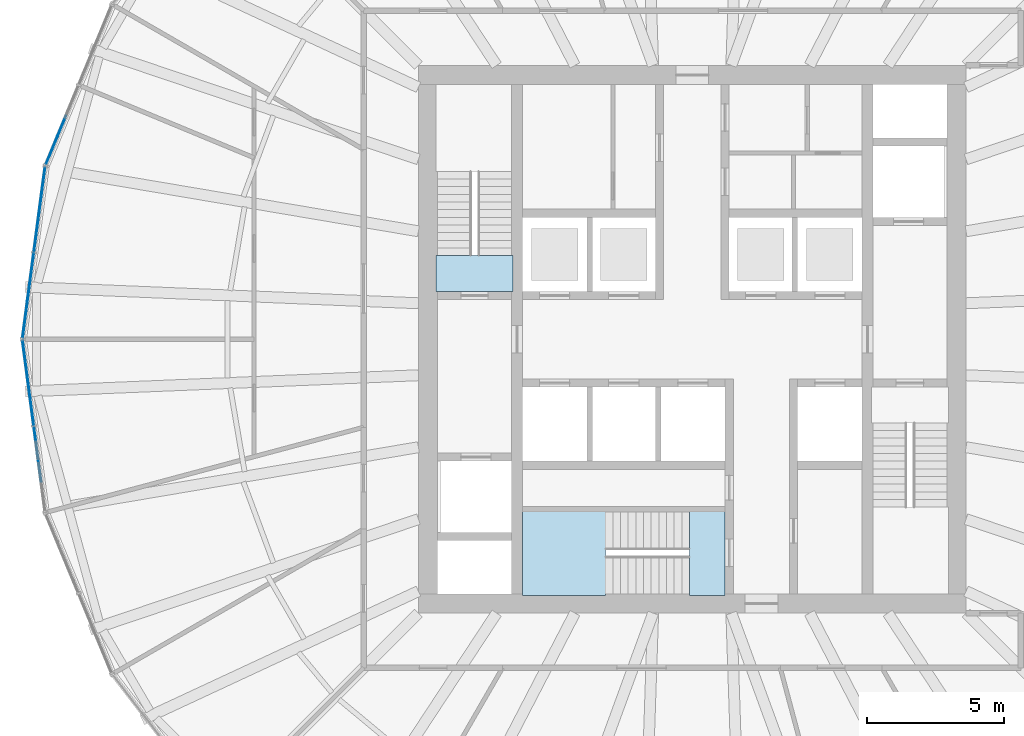
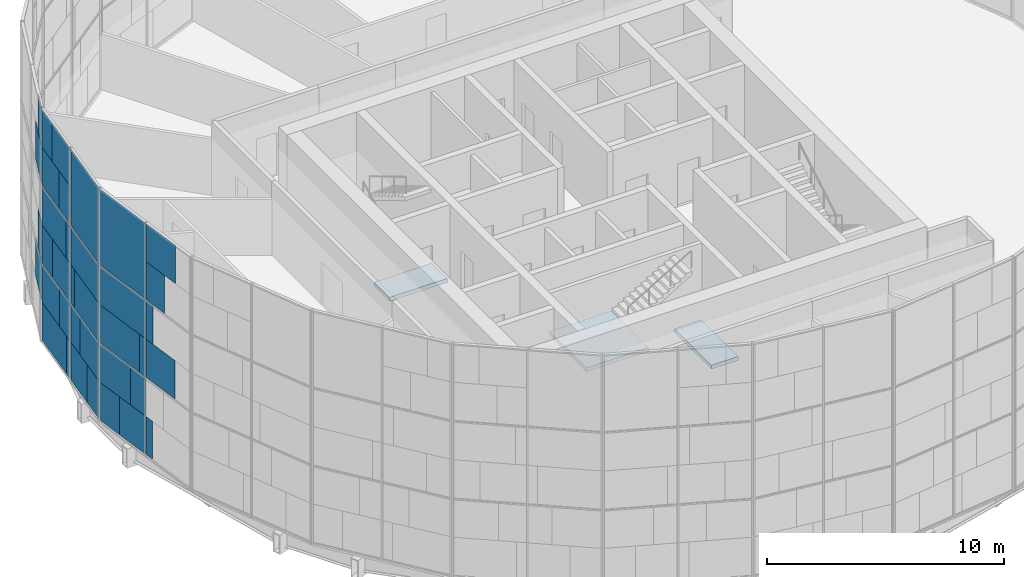
# One storey, part 11 of 22: 37 plates, 3 slabs, 4 elements without a shape of their own.
"""IFC4 building model written with IfcOpenShell, lengths in metres."""

from ifc_helpers import new_model, si_unit, direction, frame, origin, origin_2d, place, context, subcontext, project, spatial, polyline, rectangle, outline, extrude, material, layer, layer_set, type_object, element, aggregate, save


model = new_model("IFC4")

# Units and contexts
model_context = context("Model", 3, precision=1e-05, world=origin(), true_north=direction((0.0, 1.0)))
body_context = subcontext(model_context, "Body", "Model", "MODEL_VIEW")
ifc_project = project(units=[si_unit("LENGTHUNIT", "METRE"), si_unit("AREAUNIT", "SQUARE_METRE"), si_unit("VOLUMEUNIT", "CUBIC_METRE"), si_unit("PLANEANGLEUNIT", "RADIAN"), si_unit("MASSUNIT", "GRAM", prefix="KILO")], contexts=[model_context])

# Site, building, storey
site_placement = place(None, origin())
site = spatial("IfcSite", under=ifc_project, at=site_placement, CompositionType="ELEMENT")
building_placement = place(site_placement, origin())
building = spatial("IfcBuilding", under=site, at=building_placement, Name="Golbaran Civic Tower", CompositionType="ELEMENT")
storey_placement = place(building_placement, frame((0.0, 0.0, 90.0)))
storey = spatial("IfcBuildingStorey", under=building, at=storey_placement, Name="L21", CompositionType="ELEMENT", Elevation=90.0)

# Curtain wall, plates
ifc_material_1 = material(Name="Aluminium and glass", Category="aluminium")
curtain_wall_type = type_object("IfcCurtainWallType", Name="INNER SKIN CURTAIN WALL", PredefinedType="NOTDEFINED", material=ifc_material_1)
curtain_wall_1_placement = place(storey_placement, origin())
curtain_wall_1 = element("IfcCurtainWall", 1, at=curtain_wall_1_placement, inside=storey, type_object=curtain_wall_type, Name="Inner skin L21 facet 11 CW1", ObjectType="INNER SKIN", PredefinedType="USERDEFINED")
ifc_material_2 = material(Name="Clear insulating glass", Category="glass")
ifc_layer_1 = layer(ifc_material_2, 0.031982421875, Name="Clear insulating glass")
ifc_layer_set_1 = layer_set([ifc_layer_1], Name="Clear insulating glass")
plate_type_1 = type_object("IfcPlateType", Name="INNER SKIN CURTAIN WALL GLAZED PANEL", PredefinedType="CURTAIN_PANEL", material=ifc_layer_set_1)
plate_1_placement = place(storey_placement, frame((-23.238037109375, 7.271240234375, 2.016357421875), z_axis=(0.0, 0.0, 1.0), x_axis=(-0.382683432365, -0.923879532511, 0.0)))
plate_1 = element("IfcPlate", 2, at=plate_1_placement, type_object=plate_type_1, Name="CW1 panel 2.1 part 4", PredefinedType="CURTAIN_PANEL", context=body_context, shape_type="SweptSolid", body=[
    extrude(rectangle(XDim=1.9052734375, YDim=0.031982421875, at=origin_2d()), origin(), (0.0, 0.0, 1.0), 1.951171875),
])
plate_2_placement = place(storey_placement, frame((-23.38916015625, 6.90625, 4.03271484375), z_axis=(0.0, 0.0, 1.0), x_axis=(-0.382683432365, -0.923879532511, 0.0)))
plate_2 = element("IfcPlate", 3, at=plate_2_placement, type_object=plate_type_1, Name="CW1 panel 2.2 part 2", PredefinedType="CURTAIN_PANEL", context=body_context, shape_type="SweptSolid", body=[
    extrude(rectangle(XDim=1.115234375, YDim=0.031982421875, at=origin_2d()), origin(), (0.0, 0.0, 1.0), 1.967529296875),
])

curtain_wall_2_placement = place(storey_placement, origin())
curtain_wall_2 = element("IfcCurtainWall", 4, at=curtain_wall_2_placement, inside=storey, type_object=curtain_wall_type, Name="Inner skin L21 facet 12 CW1", ObjectType="INNER SKIN", PredefinedType="USERDEFINED")
plate_3_placement = place(storey_placement, frame((-23.809814453125, 4.946533203125, 0.06494140625), z_axis=(0.0, 0.0, 1.0), x_axis=(-0.130526192203, -0.991444861376, 0.0)))
plate_3 = element("IfcPlate", 5, at=plate_3_placement, type_object=plate_type_1, Name="CW1 panel 1.1 part 1", PredefinedType="CURTAIN_PANEL", context=body_context, shape_type="SweptSolid", body=[
    extrude(rectangle(XDim=2.6630859375, YDim=0.031982421875, at=origin_2d()), origin(), (0.0, 0.0, 1.0), 1.951171875),
])
plate_4_placement = place(storey_placement, frame((-23.76025390625, 5.322265625, 2.016357421875), z_axis=(0.0, 0.0, 1.0), x_axis=(-0.130526192203, -0.991444861376, 0.0)))
plate_4 = element("IfcPlate", 6, at=plate_4_placement, type_object=plate_type_1, Name="CW1 panel 1.1 part 3", PredefinedType="CURTAIN_PANEL", context=body_context, shape_type="SweptSolid", body=[
    extrude(rectangle(XDim=1.905029296875, YDim=0.031982421875, at=origin_2d()), origin(), (0.0, 0.0, 1.0), 1.951171875),
])
plate_5_placement = place(storey_placement, frame((-23.708740234375, 5.71337890625, 4.03271484375), z_axis=(0.0, 0.0, 1.0), x_axis=(-0.130526192203, -0.991444861376, 0.0)))
plate_5 = element("IfcPlate", 7, at=plate_5_placement, type_object=plate_type_1, Name="CW1 panel 1.2 part 1", PredefinedType="CURTAIN_PANEL", context=body_context, shape_type="SweptSolid", body=[
    extrude(rectangle(XDim=1.115966796875, YDim=0.031982421875, at=origin_2d()), origin(), (0.0, 0.0, 1.0), 1.967529296875),
])
plate_6_placement = place(storey_placement, frame((-24.00927734375, 3.431396484375, 6.0), z_axis=(0.0, 0.0, 1.0), x_axis=(-0.130526192203, -0.991444861376, 0.0)))
plate_6 = element("IfcPlate", 8, at=plate_6_placement, type_object=plate_type_1, Name="CW1 panel 1.2 part 4", PredefinedType="CURTAIN_PANEL", context=body_context, shape_type="SweptSolid", body=[
    extrude(rectangle(XDim=0.47119140625, YDim=0.031982421875, at=origin_2d()), origin(), (0.0, 0.0, 1.0), 1.967529296875),
])
plate_7_placement = place(storey_placement, frame((-23.957763671875, 3.822998046875, 8.032470703125), z_axis=(0.0, 0.0, 1.0), x_axis=(-0.130526192203, -0.991444861376, 0.0)))
plate_7 = element("IfcPlate", 9, at=plate_7_placement, type_object=plate_type_1, Name="CW1 panel 1.3 part 2", PredefinedType="CURTAIN_PANEL", context=body_context, shape_type="SweptSolid", body=[
    extrude(rectangle(XDim=1.26123046875, YDim=0.031982421875, at=origin_2d()), origin(), (0.0, 0.0, 1.0), 1.951171875),
])
plate_8_placement = place(storey_placement, frame((-23.908203125, 4.19873046875, 9.98388671875), z_axis=(0.0, 0.0, 1.0), x_axis=(-0.130526192203, -0.991444861376, 0.0)))
plate_8 = element("IfcPlate", 10, at=plate_8_placement, type_object=plate_type_1, Name="CW1 panel 1.3 part 4", PredefinedType="CURTAIN_PANEL", context=body_context, shape_type="SweptSolid", body=[
    extrude(rectangle(XDim=2.019287109375, YDim=0.031982421875, at=origin_2d()), origin(), (0.0, 0.0, 1.0), 1.951171875),
])
plate_9_placement = place(storey_placement, frame((-24.365966796875, 0.721923828125, 0.06494140625), z_axis=(0.0, 0.0, 1.0), x_axis=(-0.130526192203, -0.991444861376, 0.0)))
plate_9 = element("IfcPlate", 11, at=plate_9_placement, type_object=plate_type_1, Name="CW1 panel 2.1 part 2", PredefinedType="CURTAIN_PANEL", context=body_context, shape_type="SweptSolid", body=[
    extrude(rectangle(XDim=1.326416015625, YDim=0.031982421875, at=origin_2d()), origin(), (0.0, 0.0, 1.0), 1.951171875),
])
plate_10_placement = place(storey_placement, frame((-24.31640625, 1.09765625, 2.016357421875), z_axis=(0.0, 0.0, 1.0), x_axis=(-0.130526192203, -0.991444861376, 0.0)))
plate_10 = element("IfcPlate", 12, at=plate_10_placement, type_object=plate_type_1, Name="CW1 panel 2.1 part 4", PredefinedType="CURTAIN_PANEL", context=body_context, shape_type="SweptSolid", body=[
    extrude(rectangle(XDim=2.084228515625, YDim=0.031982421875, at=origin_2d()), origin(), (0.0, 0.0, 1.0), 1.951171875),
])
plate_11_placement = place(storey_placement, frame((-24.276611328125, 1.400634765625, 4.03271484375), z_axis=(0.0, 0.0, 1.0), x_axis=(-0.130526192203, -0.991444861376, 0.0)))
plate_11 = element("IfcPlate", 13, at=plate_11_placement, type_object=plate_type_1, Name="CW1 panel 2.2 part 2", PredefinedType="CURTAIN_PANEL", context=body_context, shape_type="SweptSolid", body=[
    extrude(rectangle(XDim=2.6953125, YDim=0.031982421875, at=origin_2d()), origin(), (0.0, 0.0, 1.0), 1.967529296875),
])
plate_12_placement = place(storey_placement, frame((-24.25048828125, 1.598876953125, 6.0), z_axis=(0.0, 0.0, 1.0), x_axis=(-0.130526192203, -0.991444861376, 0.0)))
plate_12 = element("IfcPlate", 14, at=plate_12_placement, type_object=plate_type_1, Name="CW1 panel 2.2 part 3", PredefinedType="CURTAIN_PANEL", context=body_context, shape_type="SweptSolid", body=[
    extrude(rectangle(XDim=3.09521484375, YDim=0.031982421875, at=origin_2d()), origin(), (0.0, 0.0, 1.0), 1.967529296875),
])
plate_13_placement = place(storey_placement, frame((-24.25048828125, 1.598876953125, 8.0322265625), z_axis=(0.0, 0.0, 1.0), x_axis=(-0.130526192203, -0.991444861376, 0.0)))
plate_13 = element("IfcPlate", 15, at=plate_13_placement, type_object=plate_type_1, Name="CW1 panel 2.3", PredefinedType="CURTAIN_PANEL", context=body_context, shape_type="SweptSolid", body=[
    extrude(rectangle(XDim=3.09521484375, YDim=0.031982421875, at=origin_2d()), origin(), (0.0, 0.0, 1.0), 3.902587890625),
])

curtain_wall_3_placement = place(storey_placement, origin())
curtain_wall_3 = element("IfcCurtainWall", 16, at=curtain_wall_3_placement, inside=storey, type_object=curtain_wall_type, Name="Inner skin L21 facet 13 CW1", ObjectType="INNER SKIN", PredefinedType="USERDEFINED")
plate_14_placement = place(storey_placement, frame((-24.365966796875, -0.7216796875, 0.06494140625), z_axis=(0.0, 0.0, 1.0), x_axis=(0.130526192203, -0.991444861376, 0.0)))
plate_14 = element("IfcPlate", 17, at=plate_14_placement, type_object=plate_type_1, Name="CW1 panel 1.1 part 1", PredefinedType="CURTAIN_PANEL", context=body_context, shape_type="SweptSolid", body=[
    extrude(rectangle(XDim=1.325927734375, YDim=0.031982421875, at=origin_2d()), origin(), (0.0, 0.0, 1.0), 1.951171875),
])
plate_15_placement = place(storey_placement, frame((-24.31640625, -1.097412109375, 2.016357421875), z_axis=(0.0, 0.0, 1.0), x_axis=(0.130526192203, -0.991444861376, 0.0)))
plate_15 = element("IfcPlate", 18, at=plate_15_placement, type_object=plate_type_1, Name="CW1 panel 1.1 part 3", PredefinedType="CURTAIN_PANEL", context=body_context, shape_type="SweptSolid", body=[
    extrude(rectangle(XDim=2.083984375, YDim=0.031982421875, at=origin_2d()), origin(), (0.0, 0.0, 1.0), 1.951171875),
])
plate_16_placement = place(storey_placement, frame((-24.276611328125, -1.39990234375, 4.03271484375), z_axis=(0.0, 0.0, 1.0), x_axis=(0.130526192203, -0.991444861376, 0.0)))
plate_16 = element("IfcPlate", 19, at=plate_16_placement, type_object=plate_type_1, Name="CW1 panel 1.2 part 1", PredefinedType="CURTAIN_PANEL", context=body_context, shape_type="SweptSolid", body=[
    extrude(rectangle(XDim=2.694091796875, YDim=0.031982421875, at=origin_2d()), origin(), (0.0, 0.0, 1.0), 1.967529296875),
])
plate_17_placement = place(storey_placement, frame((-24.25048828125, -1.598876953125, 6.0), z_axis=(0.0, 0.0, 1.0), x_axis=(0.130526192203, -0.991444861376, 0.0)))
plate_17 = element("IfcPlate", 20, at=plate_17_placement, type_object=plate_type_1, Name="CW1 panel 1.2 part 3", PredefinedType="CURTAIN_PANEL", context=body_context, shape_type="SweptSolid", body=[
    extrude(rectangle(XDim=3.09521484375, YDim=0.031982421875, at=origin_2d()), origin(), (0.0, 0.0, 1.0), 1.967529296875),
])
plate_18_placement = place(storey_placement, frame((-24.25048828125, -1.598876953125, 8.0322265625), z_axis=(0.0, 0.0, 1.0), x_axis=(0.130526192203, -0.991444861376, 0.0)))
plate_18 = element("IfcPlate", 21, at=plate_18_placement, type_object=plate_type_1, Name="CW1 panel 1.3", PredefinedType="CURTAIN_PANEL", context=body_context, shape_type="SweptSolid", body=[
    extrude(rectangle(XDim=3.09521484375, YDim=0.031982421875, at=origin_2d()), origin(), (0.0, 0.0, 1.0), 3.902587890625),
])
plate_19_placement = place(storey_placement, frame((-24.00927734375, -3.43115234375, 6.0), z_axis=(0.0, 0.0, 1.0), x_axis=(0.130526192203, -0.991444861376, 0.0)))
plate_19 = element("IfcPlate", 22, at=plate_19_placement, type_object=plate_type_1, Name="CW1 panel 2.2 part 3", PredefinedType="CURTAIN_PANEL", context=body_context, shape_type="SweptSolid", body=[
    extrude(rectangle(XDim=0.470947265625, YDim=0.031982421875, at=origin_2d()), origin(), (0.0, 0.0, 1.0), 1.967529296875),
])
plate_20_placement = place(storey_placement, frame((-23.957763671875, -3.82275390625, 8.032470703125), z_axis=(0.0, 0.0, 1.0), x_axis=(0.130526192203, -0.991444861376, 0.0)))
plate_20 = element("IfcPlate", 23, at=plate_20_placement, type_object=plate_type_1, Name="CW1 panel 2.3 part 1", PredefinedType="CURTAIN_PANEL", context=body_context, shape_type="SweptSolid", body=[
    extrude(rectangle(XDim=1.260986328125, YDim=0.031982421875, at=origin_2d()), origin(), (0.0, 0.0, 1.0), 1.951171875),
])
plate_21_placement = place(storey_placement, frame((-23.908203125, -4.198974609375, 9.98388671875), z_axis=(0.0, 0.0, 1.0), x_axis=(0.130526192203, -0.991444861376, 0.0)))
plate_21 = element("IfcPlate", 24, at=plate_21_placement, type_object=plate_type_1, Name="CW1 panel 2.3 part 3", PredefinedType="CURTAIN_PANEL", context=body_context, shape_type="SweptSolid", body=[
    extrude(rectangle(XDim=2.02001953125, YDim=0.031982421875, at=origin_2d()), origin(), (0.0, 0.0, 1.0), 1.951171875),
])

# Plate
ifc_material_3 = material(Name="Aluminium faced opaque infill panel", Category="aluminium")
ifc_layer_2 = layer(ifc_material_3, 0.031982421875, Name="Aluminium faced opaque infill panel")
ifc_layer_set_2 = layer_set([ifc_layer_2], Name="Aluminium faced opaque infill panel")
plate_type_2 = type_object("IfcPlateType", Name="INNER SKIN CURTAIN WALL OPAQUE INFILL PANEL", PredefinedType="CURTAIN_PANEL", material=ifc_layer_set_2)
plate_22_placement = place(storey_placement, frame((-23.251708984375, 7.23828125, 8.032470703125), z_axis=(0.0, 0.0, 1.0), x_axis=(-0.382683432365, -0.923879532511, 0.0)))
plate_22 = element("IfcPlate", 25, at=plate_22_placement, type_object=plate_type_2, Name="CW1 infill panel 2.3 part 2", PredefinedType="CURTAIN_PANEL", context=body_context, shape_type="SweptSolid", body=[
    extrude(rectangle(XDim=1.834228515625, YDim=0.031982421875, at=origin_2d()), origin(), (0.0, 0.0, 1.0), 1.951171875),
])

plate_23_placement = place(storey_placement, frame((-23.39697265625, 6.8876953125, 9.98388671875), z_axis=(0.0, 0.0, 1.0), x_axis=(-0.382683432365, -0.923879532511, 0.0)))
plate_23 = element("IfcPlate", 26, at=plate_23_placement, type_object=plate_type_2, Name="CW1 infill panel 2.3 part 4", PredefinedType="CURTAIN_PANEL", context=body_context, shape_type="SweptSolid", body=[
    extrude(rectangle(XDim=1.0751953125, YDim=0.031982421875, at=origin_2d()), origin(), (0.0, 0.0, 1.0), 1.951171875),
])

aggregate(curtain_wall_1, [plate_1, plate_2, plate_22, plate_23])

plate_24_placement = place(storey_placement, frame((-24.01171875, 3.412109375, 0.06494140625), z_axis=(0.0, 0.0, 1.0), x_axis=(-0.130526192203, -0.991444861376, 0.0)))
plate_24 = element("IfcPlate", 27, at=plate_24_placement, type_object=plate_type_2, Name="CW1 infill panel 1.1 part 2", PredefinedType="CURTAIN_PANEL", context=body_context, shape_type="SweptSolid", body=[
    extrude(rectangle(XDim=0.432373046875, YDim=0.031982421875, at=origin_2d()), origin(), (0.0, 0.0, 1.0), 1.951171875),
])

plate_25_placement = place(storey_placement, frame((-23.96240234375, 3.787841796875, 2.016357421875), z_axis=(0.0, 0.0, 1.0), x_axis=(-0.130526192203, -0.991444861376, 0.0)))
plate_25 = element("IfcPlate", 28, at=plate_25_placement, type_object=plate_type_2, Name="CW1 infill panel 1.1 part 4", PredefinedType="CURTAIN_PANEL", context=body_context, shape_type="SweptSolid", body=[
    extrude(rectangle(XDim=1.190185546875, YDim=0.031982421875, at=origin_2d()), origin(), (0.0, 0.0, 1.0), 1.951171875),
])

plate_26_placement = place(storey_placement, frame((-23.910888671875, 4.178955078125, 4.03271484375), z_axis=(0.0, 0.0, 1.0), x_axis=(-0.130526192203, -0.991444861376, 0.0)))
plate_26 = element("IfcPlate", 29, at=plate_26_placement, type_object=plate_type_2, Name="CW1 infill panel 1.2 part 2", PredefinedType="CURTAIN_PANEL", context=body_context, shape_type="SweptSolid", body=[
    extrude(rectangle(XDim=1.979248046875, YDim=0.031982421875, at=origin_2d()), origin(), (0.0, 0.0, 1.0), 1.967529296875),
])

plate_27_placement = place(storey_placement, frame((-23.80712890625, 4.9658203125, 6.0), z_axis=(0.0, 0.0, 1.0), x_axis=(-0.130526192203, -0.991444861376, 0.0)))
plate_27 = element("IfcPlate", 30, at=plate_27_placement, type_object=plate_type_2, Name="CW1 infill panel 1.2 part 3", PredefinedType="CURTAIN_PANEL", context=body_context, shape_type="SweptSolid", body=[
    extrude(rectangle(XDim=2.6240234375, YDim=0.031982421875, at=origin_2d()), origin(), (0.0, 0.0, 1.0), 1.967529296875),
])

plate_28_placement = place(storey_placement, frame((-23.755615234375, 5.357421875, 8.032470703125), z_axis=(0.0, 0.0, 1.0), x_axis=(-0.130526192203, -0.991444861376, 0.0)))
plate_28 = element("IfcPlate", 31, at=plate_28_placement, type_object=plate_type_2, Name="CW1 infill panel 1.3 part 1", PredefinedType="CURTAIN_PANEL", context=body_context, shape_type="SweptSolid", body=[
    extrude(rectangle(XDim=1.833984375, YDim=0.031982421875, at=origin_2d()), origin(), (0.0, 0.0, 1.0), 1.951171875),
])

plate_29_placement = place(storey_placement, frame((-23.706298828125, 5.733154296875, 9.98388671875), z_axis=(0.0, 0.0, 1.0), x_axis=(-0.130526192203, -0.991444861376, 0.0)))
plate_29 = element("IfcPlate", 32, at=plate_29_placement, type_object=plate_type_2, Name="CW1 infill panel 1.3 part 3", PredefinedType="CURTAIN_PANEL", context=body_context, shape_type="SweptSolid", body=[
    extrude(rectangle(XDim=1.075927734375, YDim=0.031982421875, at=origin_2d()), origin(), (0.0, 0.0, 1.0), 1.951171875),
])

plate_30_placement = place(storey_placement, frame((-24.1640625, 2.25634765625, 0.06494140625), z_axis=(0.0, 0.0, 1.0), x_axis=(-0.130526192203, -0.991444861376, 0.0)))
plate_30 = element("IfcPlate", 33, at=plate_30_placement, type_object=plate_type_2, Name="CW1 infill panel 2.1 part 1", PredefinedType="CURTAIN_PANEL", context=body_context, shape_type="SweptSolid", body=[
    extrude(rectangle(XDim=1.76904296875, YDim=0.031982421875, at=origin_2d()), origin(), (0.0, 0.0, 1.0), 1.951171875),
])

plate_31_placement = place(storey_placement, frame((-24.114501953125, 2.632080078125, 2.016357421875), z_axis=(0.0, 0.0, 1.0), x_axis=(-0.130526192203, -0.991444861376, 0.0)))
plate_31 = element("IfcPlate", 34, at=plate_31_placement, type_object=plate_type_2, Name="CW1 infill panel 2.1 part 3", PredefinedType="CURTAIN_PANEL", context=body_context, shape_type="SweptSolid", body=[
    extrude(rectangle(XDim=1.010986328125, YDim=0.031982421875, at=origin_2d()), origin(), (0.0, 0.0, 1.0), 1.951171875),
])

plate_32_placement = place(storey_placement, frame((-24.07470703125, 2.93505859375, 4.03271484375), z_axis=(0.0, 0.0, 1.0), x_axis=(-0.130526192203, -0.991444861376, 0.0)))
plate_32 = element("IfcPlate", 35, at=plate_32_placement, type_object=plate_type_2, Name="CW1 infill panel 2.2 part 1", PredefinedType="CURTAIN_PANEL", context=body_context, shape_type="SweptSolid", body=[
    extrude(rectangle(XDim=0.39990234375, YDim=0.031982421875, at=origin_2d()), origin(), (0.0, 0.0, 1.0), 1.967529296875),
])

aggregate(curtain_wall_2, [plate_3, plate_24, plate_4, plate_25, plate_5, plate_26, plate_27, plate_6, plate_28, plate_7, plate_29, plate_8, plate_30, plate_9, plate_31, plate_10, plate_32, plate_11, plate_12, plate_13])

plate_33_placement = place(storey_placement, frame((-24.1640625, -2.256103515625, 0.06494140625), z_axis=(0.0, 0.0, 1.0), x_axis=(0.130526192203, -0.991444861376, 0.0)))
plate_33 = element("IfcPlate", 36, at=plate_33_placement, type_object=plate_type_2, Name="CW1 infill panel 1.1 part 2", PredefinedType="CURTAIN_PANEL", context=body_context, shape_type="SweptSolid", body=[
    extrude(rectangle(XDim=1.769287109375, YDim=0.031982421875, at=origin_2d()), origin(), (0.0, 0.0, 1.0), 1.951171875),
])

plate_34_placement = place(storey_placement, frame((-24.114501953125, -2.6318359375, 2.016357421875), z_axis=(0.0, 0.0, 1.0), x_axis=(0.130526192203, -0.991444861376, 0.0)))
plate_34 = element("IfcPlate", 37, at=plate_34_placement, type_object=plate_type_2, Name="CW1 infill panel 1.1 part 4", PredefinedType="CURTAIN_PANEL", context=body_context, shape_type="SweptSolid", body=[
    extrude(rectangle(XDim=1.01123046875, YDim=0.031982421875, at=origin_2d()), origin(), (0.0, 0.0, 1.0), 1.951171875),
])

plate_35_placement = place(storey_placement, frame((-24.07470703125, -2.934326171875, 4.03271484375), z_axis=(0.0, 0.0, 1.0), x_axis=(0.130526192203, -0.991444861376, 0.0)))
plate_35 = element("IfcPlate", 38, at=plate_35_placement, type_object=plate_type_2, Name="CW1 infill panel 1.2 part 2", PredefinedType="CURTAIN_PANEL", context=body_context, shape_type="SweptSolid", body=[
    extrude(rectangle(XDim=0.4013671875, YDim=0.031982421875, at=origin_2d()), origin(), (0.0, 0.0, 1.0), 1.967529296875),
])

plate_36_placement = place(storey_placement, frame((-24.01171875, -3.411865234375, 0.06494140625), z_axis=(0.0, 0.0, 1.0), x_axis=(0.130526192203, -0.991444861376, 0.0)))
plate_36 = element("IfcPlate", 39, at=plate_36_placement, type_object=plate_type_2, Name="CW1 infill panel 2.1 part 1", PredefinedType="CURTAIN_PANEL", context=body_context, shape_type="SweptSolid", body=[
    extrude(rectangle(XDim=0.431884765625, YDim=0.031982421875, at=origin_2d()), origin(), (0.0, 0.0, 1.0), 1.951171875),
])

plate_37_placement = place(storey_placement, frame((-23.910888671875, -4.17919921875, 4.03271484375), z_axis=(0.0, 0.0, 1.0), x_axis=(0.130526192203, -0.991444861376, 0.0)))
plate_37 = element("IfcPlate", 40, at=plate_37_placement, type_object=plate_type_2, Name="CW1 infill panel 2.2 part 1", PredefinedType="CURTAIN_PANEL", context=body_context, shape_type="SweptSolid", body=[
    extrude(rectangle(XDim=1.97998046875, YDim=0.031982421875, at=origin_2d()), origin(), (0.0, 0.0, 1.0), 1.967529296875),
])

aggregate(curtain_wall_3, [plate_14, plate_33, plate_15, plate_34, plate_16, plate_35, plate_17, plate_18, plate_36, plate_37, plate_19, plate_20, plate_21])

# Slab
ifc_material_4 = material(Name="Concrete C35/45", Category="concrete")
ifc_layer_3 = layer(ifc_material_4, 0.199951171875, Name="Concrete C35/45")
ifc_layer_set_3 = layer_set([ifc_layer_3], Name="Concrete C35/45")
slab_type = type_object("IfcSlabType", Name="STAIR LANDING 200", PredefinedType="LANDING", material=ifc_layer_set_3)
slab_1_placement = place(storey_placement, frame((0.0, 0.0, -0.199951171875)))
element("IfcSlab", 41, at=slab_1_placement, inside=storey, type_object=slab_type, Name="Stair S1 floor landing L21", PredefinedType="LANDING", context=body_context, shape_type="SweptSolid", body=[
    extrude(outline(polyline([(-9.35009765625, 1.75), (-9.35009765625, 3.054931640625), (-6.550048828125, 3.054931640625), (-6.550048828125, 1.75), (-9.35009765625, 1.75)])), origin(), (0.0, 0.0, 1.0), 0.199951171875),
])

# Stair, slab
stair_type = type_object("IfcStairType", Name="EXIT STAIR 3000 x 7400, 4000 RISE", PredefinedType="HALF_TURN_STAIR", material=ifc_material_4)
stair_placement = place(storey_placement, origin())
stair = element("IfcStair", 42, at=stair_placement, inside=storey, type_object=stair_type, Name="Stair S3 L21", PredefinedType="HALF_TURN_STAIR")
slab_2_placement = place(storey_placement, frame((0.0, 0.0, 1.800048828125)))
slab_2 = element("IfcSlab", 43, at=slab_2_placement, type_object=slab_type, Name="ST30074-40 landing 1", PredefinedType="LANDING", context=body_context, shape_type="SweptSolid", body=[
    extrude(outline(polyline([(-3.175048828125, -9.35009765625), (-6.199951171875, -9.35009765625), (-6.199951171875, -6.25), (-3.175048828125, -6.25), (-3.175048828125, -9.35009765625)])), origin(), (0.0, 0.0, 1.0), 0.199951171875),
])
aggregate(stair, [slab_2])

# Slab
slab_3_placement = place(storey_placement, frame((0.0, 0.0, -0.199951171875)))
element("IfcSlab", 44, at=slab_3_placement, inside=storey, type_object=slab_type, Name="Stair S3 floor landing L21", PredefinedType="LANDING", context=body_context, shape_type="SweptSolid", body=[
    extrude(outline(polyline([(1.199951171875, -9.35009765625), (-0.10498046875, -9.35009765625), (-0.10498046875, -6.25), (1.199951171875, -6.25), (1.199951171875, -9.35009765625)])), origin(), (0.0, 0.0, 1.0), 0.199951171875),
])

save(model, "model.ifc")
